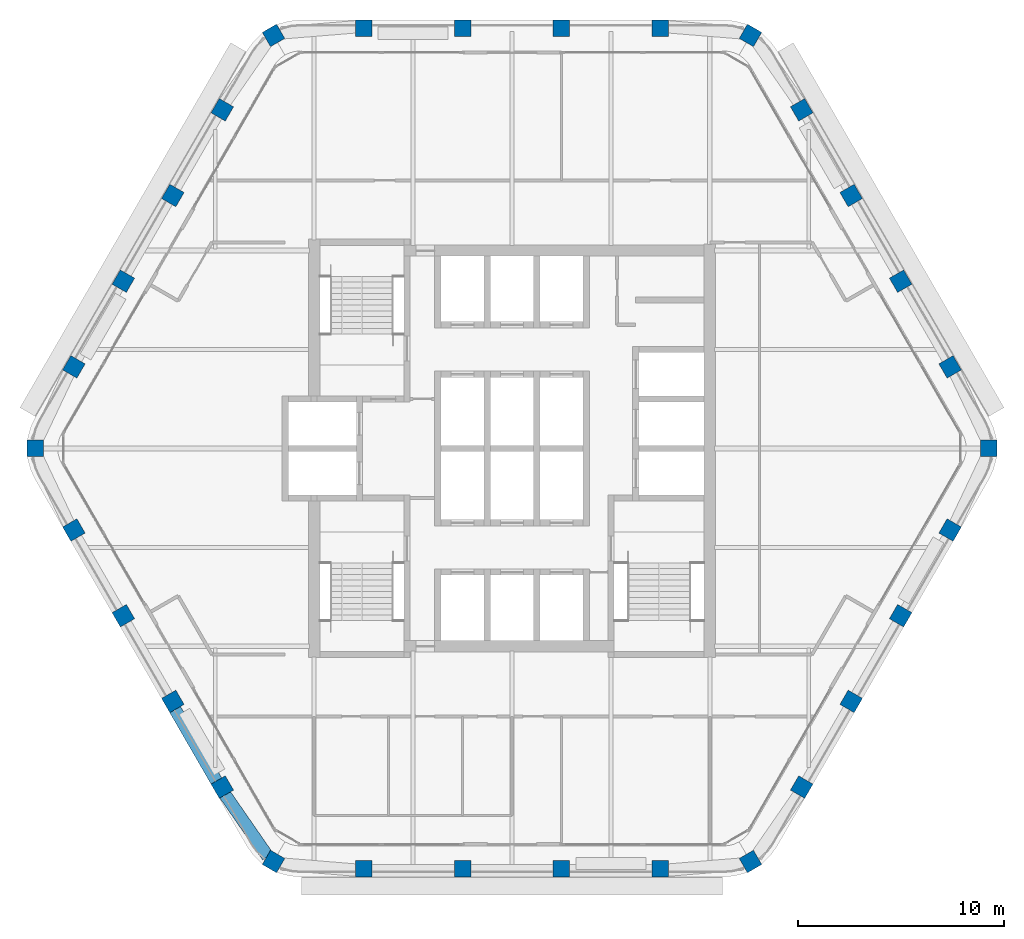
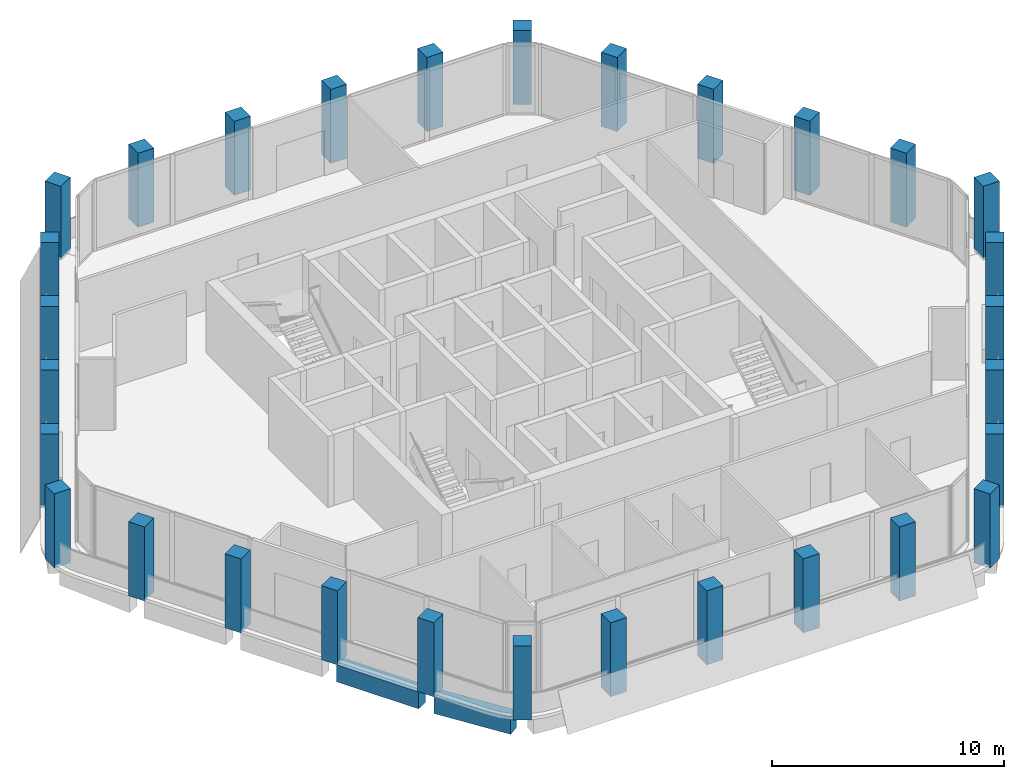
# One storey, part 1 of 13: 30 columns, 2 beams.
"""IFC4 building model written with IfcOpenShell, lengths in metres."""

from ifc_helpers import new_model, si_unit, direction, frame, origin, origin_2d, place, context, subcontext, project, spatial, rectangle, extrude, material, material_profile, profile_set, type_object, element, save


model = new_model("IFC4")

# Units and contexts
model_context = context("Model", 3, precision=1e-05, world=origin(), true_north=direction((0.0, 1.0)))
body_context = subcontext(model_context, "Body", "Model", "MODEL_VIEW")
ifc_project = project(units=[si_unit("LENGTHUNIT", "METRE"), si_unit("AREAUNIT", "SQUARE_METRE"), si_unit("VOLUMEUNIT", "CUBIC_METRE"), si_unit("PLANEANGLEUNIT", "RADIAN"), si_unit("MASSUNIT", "GRAM", prefix="KILO")], contexts=[model_context])

# Site, building, storey
site_placement = place(None, origin())
site = spatial("IfcSite", under=ifc_project, at=site_placement, CompositionType="ELEMENT")
building_placement = place(site_placement, origin())
building = spatial("IfcBuilding", under=site, at=building_placement, Name="Kolab Exchange Tower", CompositionType="ELEMENT")
storey_placement = place(building_placement, frame((0.0, 0.0, 273.5)))
storey = spatial("IfcBuildingStorey", under=building, at=storey_placement, Name="L61", CompositionType="ELEMENT", Elevation=273.5)

# Columns
ifc_material = material(Name="Concrete C50/60", Category="concrete")
ifc_material_profile_1 = material_profile(ifc_material, rectangle(XDim=0.800048828125, YDim=0.800048828125, at=origin_2d()), Name="RC800")
ifc_profile_set_1 = profile_set([ifc_material_profile_1], Name="Concrete C50/60")
column_type = type_object("IfcColumnType", Name="PERIMETER COLUMN 800 SQ C50/60", PredefinedType="COLUMN", material=ifc_profile_set_1)
for number, where, z_axis, x_axis, name in (
    (1, (-11.56787109375, 20.036376953125, -0.14990234375), (0.0, 0.0, 1.0), (0.866025403784, 0.5, 0.0), "col/L61/F1-01"),
    (2, (-7.199951171875, 20.384521484375, -0.14990234375), (0.0, 0.0, 1.0), (1.0, 0.0, 0.0), "col/L61/F1-02"),
    (3, (-2.39990234375, 20.384521484375, -0.14990234375), (0.0, 0.0, 1.0), (1.0, 0.0, 0.0), "col/L61/F1-03"),
    (4, (2.39990234375, 20.384521484375, -0.14990234375), (0.0, 0.0, 1.0), (1.0, 0.0, 0.0), "col/L61/F1-04"),
    (5, (7.199951171875, 20.384521484375, -0.14990234375), (0.0, 0.0, 1.0), (1.0, 0.0, 0.0), "col/L61/F1-05"),
    (6, (11.56787109375, 20.036376953125, -0.14990234375), (0.0, 0.0, 1.0), (0.5, 0.866025403784, 0.0), "col/L61/F2-01"),
    (7, (14.0537109375, 16.427734375, -0.14990234375), (0.0, 0.0, 1.0), (0.866025403784, 0.5, 0.0), "col/L61/F2-02"),
    (8, (16.45361328125, 12.270751953125, -0.14990234375), (0.0, 0.0, 1.0), (0.866025403784, 0.5, 0.0), "col/L61/F2-03"),
    (9, (18.853515625, 8.11376953125, -0.14990234375), (0.0, 0.0, 1.0), (0.866025403784, 0.5, 0.0), "col/L61/F2-04"),
    (10, (21.253662109375, 3.95703125, -0.14990234375), (0.0, 0.0, 1.0), (0.866025403784, 0.5, 0.0), "col/L61/F2-05"),
    (11, (23.135986328125, 0.0, -0.14990234375), (0.0, 0.0, 1.0), (1.0, 0.0, 0.0), "col/L61/F3-01"),
    (12, (21.253662109375, -3.95703125, -0.14990234375), (0.0, 0.0, 1.0), (0.5, 0.866025403784, 0.0), "col/L61/F3-02"),
    (13, (18.853515625, -8.11376953125, -0.14990234375), (0.0, 0.0, 1.0), (0.5, 0.866025403784, 0.0), "col/L61/F3-03"),
    (14, (16.45361328125, -12.270751953125, -0.14990234375), (0.0, 0.0, 1.0), (0.5, 0.866025403784, 0.0), "col/L61/F3-04"),
    (15, (14.0537109375, -16.427734375, -0.14990234375), (0.0, 0.0, 1.0), (0.5, 0.866025403784, 0.0), "col/L61/F3-05"),
    (16, (11.56787109375, -20.036376953125, -0.14990234375), (0.0, 0.0, 1.0), (0.866025403784, 0.5, 0.0), "col/L61/F4-01"),
    (17, (7.199951171875, -20.384521484375, -0.14990234375), (0.0, 0.0, 1.0), (1.0, 0.0, 0.0), "col/L61/F4-02"),
    (18, (2.39990234375, -20.384521484375, -0.14990234375), (0.0, 0.0, 1.0), (1.0, 0.0, 0.0), "col/L61/F4-03"),
    (19, (-2.39990234375, -20.384521484375, -0.14990234375), (0.0, 0.0, 1.0), (1.0, 0.0, 0.0), "col/L61/F4-04"),
    (20, (-7.199951171875, -20.384521484375, -0.14990234375), (0.0, 0.0, 1.0), (1.0, 0.0, 0.0), "col/L61/F4-05"),
    (21, (-11.56787109375, -20.036376953125, -0.14990234375), (0.0, 0.0, 1.0), (0.5, 0.866025403784, 0.0), "col/L61/F5-01"),
    (22, (-14.0537109375, -16.427734375, -0.14990234375), (0.0, 0.0, 1.0), (0.866025403784, 0.5, 0.0), "col/L61/F5-02"),
    (23, (-16.45361328125, -12.270751953125, -0.14990234375), (0.0, 0.0, 1.0), (0.866025403784, 0.5, 0.0), "col/L61/F5-03"),
    (24, (-18.853515625, -8.11376953125, -0.14990234375), (0.0, 0.0, 1.0), (0.866025403784, 0.5, 0.0), "col/L61/F5-04"),
    (25, (-21.253662109375, -3.95703125, -0.14990234375), (0.0, 0.0, 1.0), (0.866025403784, 0.5, 0.0), "col/L61/F5-05"),
    (26, (-23.135986328125, 0.0, -0.14990234375), (0.0, 0.0, 1.0), (1.0, 0.0, 0.0), "col/L61/F6-01"),
    (27, (-21.253662109375, 3.95703125, -0.14990234375), (0.0, 0.0, 1.0), (0.5, 0.866025403784, 0.0), "col/L61/F6-02"),
    (28, (-18.853515625, 8.11376953125, -0.14990234375), (0.0, 0.0, 1.0), (0.5, 0.866025403784, 0.0), "col/L61/F6-03"),
    (29, (-16.45361328125, 12.270751953125, -0.14990234375), (0.0, 0.0, 1.0), (0.5, 0.866025403784, 0.0), "col/L61/F6-04"),
    (30, (-14.0537109375, 16.427734375, -0.14990234375), (0.0, 0.0, 1.0), (0.5, 0.866025403784, 0.0), "col/L61/F6-05"),
):
    element("IfcColumn", number, at=place(storey_placement, frame(where, z_axis=z_axis, x_axis=x_axis)), inside=storey, type_object=column_type, Name=name, PredefinedType="COLUMN", context=body_context, shape_type="SweptSolid", body=[
        extrude(rectangle(XDim=0.800048828125, YDim=0.800048828125, at=origin_2d()), origin(), (0.0, 0.0, 1.0), 3.89990234375),
    ])

# Beams
ifc_material_profile_2 = material_profile(ifc_material, rectangle(XDim=0.60009765625, YDim=0.89990234375, at=origin_2d()), Name="RC600X900")
ifc_profile_set_2 = profile_set([ifc_material_profile_2], Name="Concrete C50/60")
beam_type = type_object("IfcBeamType", Name="SPANDREL BEAM 600X900 C50/60", PredefinedType="BEAM", material=ifc_profile_set_2)
beam_1_placement = place(storey_placement, frame((-11.846923828125, -19.7919921875, -0.60009765625), z_axis=(-0.569005808573, 0.822333502789, 0.0), x_axis=(-0.822333502789, -0.569005808573, 0.0)))
element("IfcBeam", 31, at=beam_1_placement, inside=storey, type_object=beam_type, Name="beam/L61/sp/F5-01", PredefinedType="BEAM", context=body_context, shape_type="SweptSolid", body=[
    extrude(rectangle(XDim=0.60009765625, YDim=0.89990234375, at=origin_2d()), origin(), (0.0, 0.0, 1.0), 3.6689453125),
])
beam_2_placement = place(storey_placement, frame((-14.3203125, -16.166015625, -0.60009765625), z_axis=(-0.499955548806, 0.866051066172, 0.0), x_axis=(-0.866051066172, -0.499955548806, 0.0)))
element("IfcBeam", 32, at=beam_2_placement, inside=storey, type_object=beam_type, Name="beam/L61/sp/F5-02", PredefinedType="BEAM", context=body_context, shape_type="SweptSolid", body=[
    extrude(rectangle(XDim=0.60009765625, YDim=0.89990234375, at=origin_2d()), origin(), (0.0, 0.0, 1.0), 4.079833984375),
])

save(model, "model.ifc")
